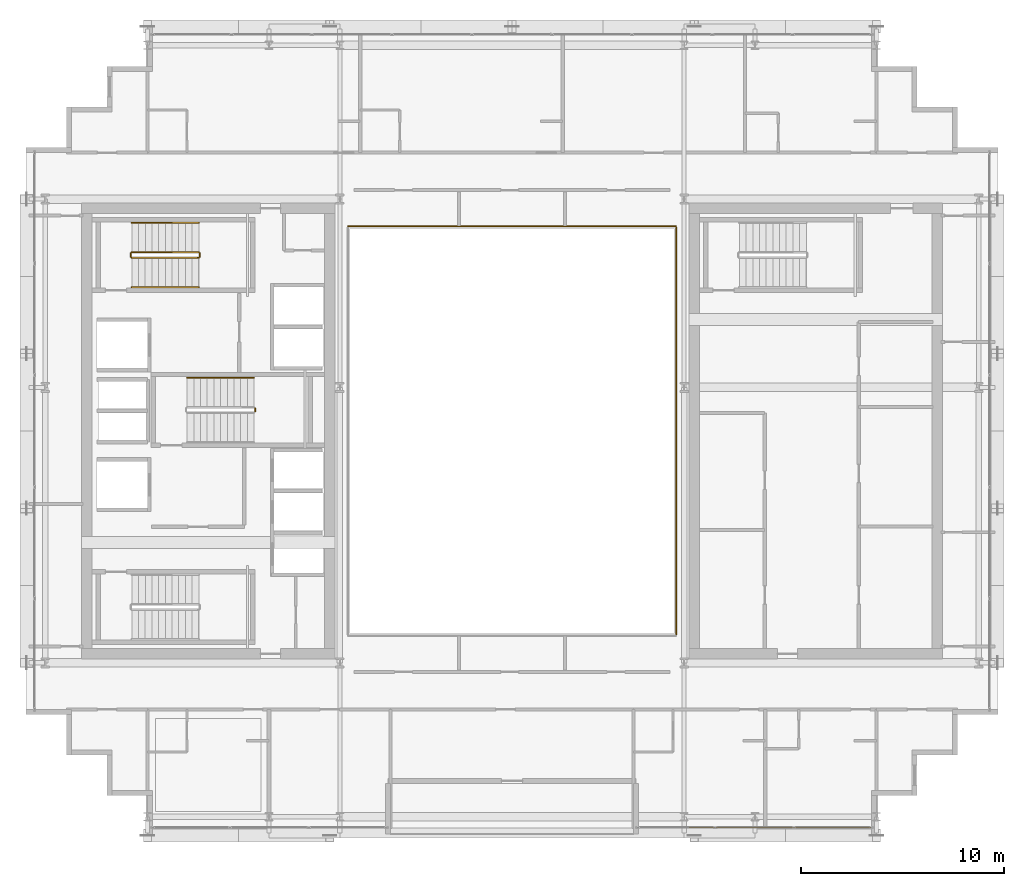
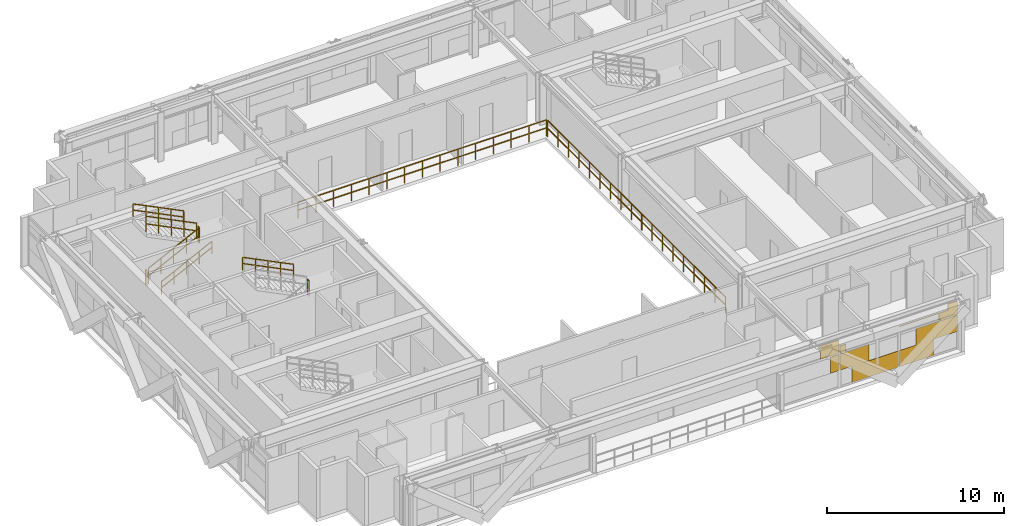
# One storey, part 30 of 32: 10 railings, 1 covering.
"""IFC4 building model written with IfcOpenShell, lengths in metres."""

from ifc_helpers import new_model, si_unit, direction, frame, origin, origin_2d, place, context, subcontext, project, spatial, rectangle, extrude, material, layer, layer_set, type_object, element, save


model = new_model("IFC4")

# Units and contexts
model_context = context("Model", 3, precision=1e-05, world=origin(), true_north=direction((0.0, 1.0)))
body_context = subcontext(model_context, "Body", "Model", "MODEL_VIEW")
ifc_project = project(units=[si_unit("LENGTHUNIT", "METRE"), si_unit("AREAUNIT", "SQUARE_METRE"), si_unit("VOLUMEUNIT", "CUBIC_METRE"), si_unit("PLANEANGLEUNIT", "RADIAN"), si_unit("MASSUNIT", "GRAM", prefix="KILO")], contexts=[model_context])

# Site, building, storey
site_placement = place(None, origin())
site = spatial("IfcSite", under=ifc_project, at=site_placement, CompositionType="ELEMENT")
building_placement = place(site_placement, origin())
building = spatial("IfcBuilding", under=site, at=building_placement, Name="Ocotamira Hotel", CompositionType="ELEMENT")
storey_placement = place(building_placement, frame((0.0, 0.0, 213.60009765625)))
storey = spatial("IfcBuildingStorey", under=building, at=storey_placement, Name="L54", CompositionType="ELEMENT", Elevation=213.60009765625)

# Covering
ifc_material_1 = material(Name="Insulated pale-metal aluminium spandrel panel", Category="aluminium")
ifc_layer = layer(ifc_material_1, 0.044921875)
ifc_layer_set = layer_set([ifc_layer], Name="Insulated pale-metal aluminium spandrel panel")
covering_type = type_object("IfcCoveringType", Name="COV-INFILL-45", PredefinedType="CLADDING", material=ifc_layer_set)
covering_placement = place(storey_placement, origin())
element("IfcCovering", 1, at=covering_placement, inside=storey, type_object=covering_type, Name="L54 Curtain Wall Infill CW-4 CW-L54-S2", PredefinedType="CLADDING", context=body_context, shape_type="SweptSolid", body=[
    extrude(rectangle(XDim=0.543212890625, YDim=0.044921875, at=origin_2d()), frame((41.72119140625, 6.419921875, 1.19384765625), z_axis=(0.0, 0.0, 1.0), x_axis=(1.0, 0.0, 0.0)), (0.0, 0.0, 1.0), 1.117919921875),
    extrude(rectangle(XDim=1.23046875, YDim=0.044921875, at=origin_2d()), frame((41.377685546875, 6.419921875, 2.8291015625), z_axis=(0.0, 0.0, 1.0), x_axis=(1.0, 0.0, 0.0)), (0.0, 0.0, 1.0), 0.46533203125),
    extrude(rectangle(XDim=1.1884765625, YDim=0.044921875, at=origin_2d()), frame((41.398681640625, 6.419921875, 2.3876953125), z_axis=(0.0, 0.0, 1.0), x_axis=(1.0, 0.0, 0.0)), (0.0, 0.0, 1.0), 0.440185546875),
    extrude(rectangle(XDim=1.893798828125, YDim=0.044921875, at=origin_2d()), frame((43.020751953125, 6.419921875, 1.19384765625), z_axis=(0.0, 0.0, 1.0), x_axis=(1.0, 0.0, 0.0)), (0.0, 0.0, 1.0), 1.117919921875),
    extrude(rectangle(XDim=3.028076171875, YDim=0.044921875, at=origin_2d()), frame((44.362060546875, 6.419921875, 0.075439453125), z_axis=(0.0, 0.0, 1.0), x_axis=(1.0, 0.0, 0.0)), (0.0, 0.0, 1.0), 1.11767578125),
    extrude(rectangle(XDim=0.401611328125, YDim=0.044921875, at=origin_2d()), frame((42.274658203125, 6.419921875, 2.3876953125), z_axis=(0.0, 0.0, 1.0), x_axis=(1.0, 0.0, 0.0)), (0.0, 0.0, 1.0), 0.473876953125),
    extrude(rectangle(XDim=2.19482421875, YDim=0.044921875, at=origin_2d()), frame((47.0546875, 6.419921875, 0.075439453125), z_axis=(0.0, 0.0, 1.0), x_axis=(1.0, 0.0, 0.0)), (0.0, 0.0, 1.0), 1.11767578125),
    extrude(rectangle(XDim=2.68701171875, YDim=0.044921875, at=origin_2d()), frame((48.3759765625, 6.419921875, 1.19384765625), z_axis=(0.0, 0.0, 1.0), x_axis=(1.0, 0.0, 0.0)), (0.0, 0.0, 1.0), 1.117919921875),
    extrude(rectangle(XDim=3.76220703125, YDim=0.044921875, at=origin_2d()), frame((47.83837890625, 6.419921875, 2.8291015625), z_axis=(0.0, 0.0, 1.0), x_axis=(1.0, 0.0, 0.0)), (0.0, 0.0, 1.0), 0.03271484375),
    extrude(rectangle(XDim=1.19482421875, YDim=0.044921875, at=origin_2d()), frame((49.1220703125, 6.419921875, 2.3876953125), z_axis=(0.0, 0.0, 1.0), x_axis=(1.0, 0.0, 0.0)), (0.0, 0.0, 1.0), 0.440185546875),
    extrude(rectangle(XDim=0.601318359375, YDim=0.044921875, at=origin_2d()), frame((49.418701171875, 6.419921875, 2.86279296875), z_axis=(0.0, 0.0, 1.0), x_axis=(1.0, 0.0, 0.0)), (0.0, 0.0, 1.0), 0.431640625),
])

# Railings
ifc_material_2 = material(Name="Painted steel stair guardrail", Category="steel")
railing_type_1 = type_object("IfcRailingType", Name="RL-EDGE-1150", PredefinedType="GUARDRAIL", material=ifc_material_2)
railing_1_placement = place(storey_placement, frame((40.1201171875, 15.9599609375, 0.0)))
element("IfcRailing", 2, at=railing_1_placement, inside=storey, type_object=railing_type_1, Name="L54 Central Atrium Edge Guardrail E", PredefinedType="GUARDRAIL", context=body_context, shape_type="SweptSolid", body=[
    extrude(rectangle(XDim=0.048095703125, YDim=0.048095703125, at=origin_2d()), frame((0.0, 0.0, 1.1259765625), z_axis=(0.0, 1.0, 0.0), x_axis=(-1.0, 0.0, 0.0)), (0.0, 0.0, 1.0), 20.080078125),
    extrude(rectangle(XDim=0.048095703125, YDim=0.048095703125, at=origin_2d()), frame((0.0, 0.0, 0.574951171875), z_axis=(0.0, 1.0, 0.0), x_axis=(-1.0, 0.0, 0.0)), (0.0, 0.0, 1.0), 20.080078125),
    extrude(rectangle(XDim=0.0419921875, YDim=0.0419921875, at=origin_2d()), origin(), (0.0, 0.0, 1.0), 1.101806640625),
    extrude(rectangle(XDim=0.0419921875, YDim=0.0419921875, at=origin_2d()), frame((0.0, 1.18115234375, 0.0)), (0.0, 0.0, 1.0), 1.101806640625),
    extrude(rectangle(XDim=0.0419921875, YDim=0.0419921875, at=origin_2d()), frame((0.0, 2.3623046875, 0.0)), (0.0, 0.0, 1.0), 1.101806640625),
    extrude(rectangle(XDim=0.0419921875, YDim=0.0419921875, at=origin_2d()), frame((0.0, 3.54345703125, 0.0)), (0.0, 0.0, 1.0), 1.101806640625),
    extrude(rectangle(XDim=0.0419921875, YDim=0.0419921875, at=origin_2d()), frame((0.0, 4.724609375, 0.0)), (0.0, 0.0, 1.0), 1.101806640625),
    extrude(rectangle(XDim=0.0419921875, YDim=0.0419921875, at=origin_2d()), frame((0.0, 5.906005859375, 0.0)), (0.0, 0.0, 1.0), 1.101806640625),
    extrude(rectangle(XDim=0.0419921875, YDim=0.0419921875, at=origin_2d()), frame((0.0, 7.087158203125, 0.0)), (0.0, 0.0, 1.0), 1.101806640625),
    extrude(rectangle(XDim=0.0419921875, YDim=0.0419921875, at=origin_2d()), frame((0.0, 8.268310546875, 0.0)), (0.0, 0.0, 1.0), 1.101806640625),
    extrude(rectangle(XDim=0.0419921875, YDim=0.0419921875, at=origin_2d()), frame((0.0, 9.449462890625, 0.0)), (0.0, 0.0, 1.0), 1.101806640625),
    extrude(rectangle(XDim=0.0419921875, YDim=0.0419921875, at=origin_2d()), frame((0.0, 10.630615234375, 0.0)), (0.0, 0.0, 1.0), 1.101806640625),
    extrude(rectangle(XDim=0.0419921875, YDim=0.0419921875, at=origin_2d()), frame((0.0, 11.811767578125, 0.0)), (0.0, 0.0, 1.0), 1.101806640625),
    extrude(rectangle(XDim=0.0419921875, YDim=0.0419921875, at=origin_2d()), frame((0.0, 12.992919921875, 0.0)), (0.0, 0.0, 1.0), 1.101806640625),
    extrude(rectangle(XDim=0.0419921875, YDim=0.0419921875, at=origin_2d()), frame((0.0, 14.174072265625, 0.0)), (0.0, 0.0, 1.0), 1.101806640625),
    extrude(rectangle(XDim=0.0419921875, YDim=0.0419921875, at=origin_2d()), frame((0.0, 15.35546875, 0.0)), (0.0, 0.0, 1.0), 1.101806640625),
    extrude(rectangle(XDim=0.0419921875, YDim=0.0419921875, at=origin_2d()), frame((0.0, 16.53662109375, 0.0)), (0.0, 0.0, 1.0), 1.101806640625),
    extrude(rectangle(XDim=0.0419921875, YDim=0.0419921875, at=origin_2d()), frame((0.0, 17.7177734375, 0.0)), (0.0, 0.0, 1.0), 1.101806640625),
    extrude(rectangle(XDim=0.0419921875, YDim=0.0419921875, at=origin_2d()), frame((0.0, 18.89892578125, 0.0)), (0.0, 0.0, 1.0), 1.101806640625),
    extrude(rectangle(XDim=0.0419921875, YDim=0.0419921875, at=origin_2d()), frame((0.0, 20.080078125, 0.0)), (0.0, 0.0, 1.0), 1.101806640625),
])
railing_2_placement = place(storey_placement, frame((40.10009765625, 36.1201171875, 0.0)))
element("IfcRailing", 3, at=railing_2_placement, inside=storey, type_object=railing_type_1, Name="L54 Central Atrium Edge Guardrail N", PredefinedType="GUARDRAIL", context=body_context, shape_type="SweptSolid", body=[
    extrude(rectangle(XDim=0.048095703125, YDim=0.048095703125, at=origin_2d()), frame((0.0, 0.0, 1.1259765625), z_axis=(-1.0, 0.0, 0.0), x_axis=(0.0, -1.0, 0.0)), (0.0, 0.0, 1.0), 16.2001953125),
    extrude(rectangle(XDim=0.048095703125, YDim=0.048095703125, at=origin_2d()), frame((0.0, 0.0, 0.574951171875), z_axis=(-1.0, 0.0, 0.0), x_axis=(0.0, -1.0, 0.0)), (0.0, 0.0, 1.0), 16.2001953125),
    extrude(rectangle(XDim=0.0419921875, YDim=0.0419921875, at=origin_2d()), origin(), (0.0, 0.0, 1.0), 1.101806640625),
    extrude(rectangle(XDim=0.0419921875, YDim=0.0419921875, at=origin_2d()), frame((-1.1572265625, 0.0, 0.0)), (0.0, 0.0, 1.0), 1.101806640625),
    extrude(rectangle(XDim=0.0419921875, YDim=0.0419921875, at=origin_2d()), frame((-2.314208984375, 0.0, 0.0)), (0.0, 0.0, 1.0), 1.101806640625),
    extrude(rectangle(XDim=0.0419921875, YDim=0.0419921875, at=origin_2d()), frame((-3.471435546875, 0.0, 0.0)), (0.0, 0.0, 1.0), 1.101806640625),
    extrude(rectangle(XDim=0.0419921875, YDim=0.0419921875, at=origin_2d()), frame((-4.628662109375, 0.0, 0.0)), (0.0, 0.0, 1.0), 1.101806640625),
    extrude(rectangle(XDim=0.0419921875, YDim=0.0419921875, at=origin_2d()), frame((-5.785888671875, 0.0, 0.0)), (0.0, 0.0, 1.0), 1.101806640625),
    extrude(rectangle(XDim=0.0419921875, YDim=0.0419921875, at=origin_2d()), frame((-6.94287109375, 0.0, 0.0)), (0.0, 0.0, 1.0), 1.101806640625),
    extrude(rectangle(XDim=0.0419921875, YDim=0.0419921875, at=origin_2d()), frame((-8.10009765625, 0.0, 0.0)), (0.0, 0.0, 1.0), 1.101806640625),
    extrude(rectangle(XDim=0.0419921875, YDim=0.0419921875, at=origin_2d()), frame((-9.25732421875, 0.0, 0.0)), (0.0, 0.0, 1.0), 1.101806640625),
    extrude(rectangle(XDim=0.0419921875, YDim=0.0419921875, at=origin_2d()), frame((-10.414306640625, 0.0, 0.0)), (0.0, 0.0, 1.0), 1.101806640625),
    extrude(rectangle(XDim=0.0419921875, YDim=0.0419921875, at=origin_2d()), frame((-11.571533203125, 0.0, 0.0)), (0.0, 0.0, 1.0), 1.101806640625),
    extrude(rectangle(XDim=0.0419921875, YDim=0.0419921875, at=origin_2d()), frame((-12.728759765625, 0.0, 0.0)), (0.0, 0.0, 1.0), 1.101806640625),
    extrude(rectangle(XDim=0.0419921875, YDim=0.0419921875, at=origin_2d()), frame((-13.885986328125, 0.0, 0.0)), (0.0, 0.0, 1.0), 1.101806640625),
    extrude(rectangle(XDim=0.0419921875, YDim=0.0419921875, at=origin_2d()), frame((-15.04296875, 0.0, 0.0)), (0.0, 0.0, 1.0), 1.101806640625),
    extrude(rectangle(XDim=0.0419921875, YDim=0.0419921875, at=origin_2d()), frame((-16.2001953125, 0.0, 0.0)), (0.0, 0.0, 1.0), 1.101806640625),
])
ifc_material_3 = material(Name="Brushed stainless steel handrail", Category="steel")
railing_type_2 = type_object("IfcRailingType", Name="RL-HAND-900", PredefinedType="HANDRAIL", material=ifc_material_3)
railing_3_placement = place(storey_placement, frame((13.22998046875, 33.10009765625, 0.3271484375)))
element("IfcRailing", 4, at=railing_3_placement, inside=storey, type_object=railing_type_2, Name="L54 ST-2 stair handrail 1", PredefinedType="HANDRAIL", context=body_context, shape_type="SweptSolid", body=[
    extrude(rectangle(XDim=0.048095703125, YDim=0.048095703125, at=origin_2d()), frame((0.0, 0.0, 0.8759765625), z_axis=(0.895893744519, 0.0, 0.4442683857), x_axis=(0.0, 1.0, 0.0)), (0.0, 0.0, 1.0), 3.68359375),
    extrude(rectangle(XDim=0.048095703125, YDim=0.048095703125, at=origin_2d()), frame((0.0, 0.0, 0.449951171875), z_axis=(0.895893744519, 0.0, 0.4442683857), x_axis=(0.0, 1.0, 0.0)), (0.0, 0.0, 1.0), 3.68359375),
    extrude(rectangle(XDim=0.0419921875, YDim=0.0419921875, at=origin_2d()), origin(), (0.0, 0.0, 1.0), 0.851806640625),
    extrude(rectangle(XDim=0.0419921875, YDim=0.0419921875, at=origin_2d()), frame((0.824951171875, 0.0, 0.4091796875)), (0.0, 0.0, 1.0), 0.851806640625),
    extrude(rectangle(XDim=0.0419921875, YDim=0.0419921875, at=origin_2d()), frame((1.64990234375, 0.0, 0.818359375)), (0.0, 0.0, 1.0), 0.851806640625),
    extrude(rectangle(XDim=0.0419921875, YDim=0.0419921875, at=origin_2d()), frame((2.47509765625, 0.0, 1.227294921875)), (0.0, 0.0, 1.0), 0.851806640625),
    extrude(rectangle(XDim=0.0419921875, YDim=0.0419921875, at=origin_2d()), frame((3.300048828125, 0.0, 1.636474609375)), (0.0, 0.0, 1.0), 0.851806640625),
])
for number, where, name in (
    (5, (16.530029296875, 36.280029296875, 2.127197265625), "L54 ST-2 stair handrail 2"),
    (6, (19.260009765625, 28.6298828125, 2.127197265625), "L54 ST-3 stair handrail 2"),
):
    element("IfcRailing", number, at=place(storey_placement, frame(where)), inside=storey, type_object=railing_type_2, Name=name, PredefinedType="HANDRAIL", context=body_context, shape_type="SweptSolid", body=[
        extrude(rectangle(XDim=0.048095703125, YDim=0.048095703125, at=origin_2d()), frame((0.0, 0.0, 0.8759765625), z_axis=(-0.895920123917, 0.0, 0.444215186098), x_axis=(0.0, -1.0, 0.0)), (0.0, 0.0, 1.0), 3.683349609375),
        extrude(rectangle(XDim=0.048095703125, YDim=0.048095703125, at=origin_2d()), frame((0.0, 0.0, 0.449951171875), z_axis=(-0.895920123917, 0.0, 0.444215186098), x_axis=(0.0, -1.0, 0.0)), (0.0, 0.0, 1.0), 3.683349609375),
        extrude(rectangle(XDim=0.0419921875, YDim=0.0419921875, at=origin_2d()), origin(), (0.0, 0.0, 1.0), 0.851806640625),
        extrude(rectangle(XDim=0.0419921875, YDim=0.0419921875, at=origin_2d()), frame((-0.824951171875, 0.0, 0.4091796875)), (0.0, 0.0, 1.0), 0.851806640625),
        extrude(rectangle(XDim=0.0419921875, YDim=0.0419921875, at=origin_2d()), frame((-1.64990234375, 0.0, 0.818115234375)), (0.0, 0.0, 1.0), 0.851806640625),
        extrude(rectangle(XDim=0.0419921875, YDim=0.0419921875, at=origin_2d()), frame((-2.47509765625, 0.0, 1.22705078125)), (0.0, 0.0, 1.0), 0.851806640625),
        extrude(rectangle(XDim=0.0419921875, YDim=0.0419921875, at=origin_2d()), frame((-3.300048828125, 0.0, 1.63623046875)), (0.0, 0.0, 1.0), 0.851806640625),
    ])
railing_type_3 = type_object("IfcRailingType", Name="RL-STAIR-1100", PredefinedType="GUARDRAIL", material=ifc_material_2)
railing_4_placement = place(storey_placement, frame((13.22998046875, 34.56005859375, 0.16357421875)))
element("IfcRailing", 7, at=railing_4_placement, inside=storey, type_object=railing_type_3, Name="L54 ST-2 stair guard 1", PredefinedType="GUARDRAIL", context=body_context, shape_type="SweptSolid", body=[
    extrude(rectangle(XDim=0.048095703125, YDim=0.048095703125, at=origin_2d()), frame((0.0, 0.0, 1.076171875), z_axis=(0.895920123917, 0.0, 0.444215186098), x_axis=(0.0, 1.0, 0.0)), (0.0, 0.0, 1.0), 3.683349609375),
    extrude(rectangle(XDim=0.048095703125, YDim=0.048095703125, at=origin_2d()), frame((0.0, 0.0, 0.550048828125), z_axis=(0.895920123917, 0.0, 0.444215186098), x_axis=(0.0, 1.0, 0.0)), (0.0, 0.0, 1.0), 3.683349609375),
    extrude(rectangle(XDim=0.0419921875, YDim=0.0419921875, at=origin_2d()), origin(), (0.0, 0.0, 1.0), 1.052001953125),
    extrude(rectangle(XDim=0.0419921875, YDim=0.0419921875, at=origin_2d()), frame((0.824951171875, 0.0, 0.4091796875)), (0.0, 0.0, 1.0), 1.052001953125),
    extrude(rectangle(XDim=0.0419921875, YDim=0.0419921875, at=origin_2d()), frame((1.64990234375, 0.0, 0.818115234375)), (0.0, 0.0, 1.0), 1.052001953125),
    extrude(rectangle(XDim=0.0419921875, YDim=0.0419921875, at=origin_2d()), frame((2.47509765625, 0.0, 1.22705078125)), (0.0, 0.0, 1.0), 1.052001953125),
    extrude(rectangle(XDim=0.0419921875, YDim=0.0419921875, at=origin_2d()), frame((3.300048828125, 0.0, 1.63623046875)), (0.0, 0.0, 1.0), 1.052001953125),
])
railing_5_placement = place(storey_placement, frame((16.580078125, 34.610107421875, 1.7998046875)))
element("IfcRailing", 8, at=railing_5_placement, inside=storey, type_object=railing_type_3, Name="L54 ST-2 stair guard 2", PredefinedType="GUARDRAIL", context=body_context, shape_type="SweptSolid", body=[
    extrude(rectangle(XDim=0.048095703125, YDim=0.048095703125, at=origin_2d()), frame((0.0, 0.0, 1.076171875), z_axis=(0.0, 1.0, 0.0), x_axis=(-1.0, 0.0, 0.0)), (0.0, 0.0, 1.0), 0.159912109375),
    extrude(rectangle(XDim=0.048095703125, YDim=0.048095703125, at=origin_2d()), frame((0.0, 0.0, 0.550048828125), z_axis=(0.0, 1.0, 0.0), x_axis=(-1.0, 0.0, 0.0)), (0.0, 0.0, 1.0), 0.159912109375),
    extrude(rectangle(XDim=0.0419921875, YDim=0.0419921875, at=origin_2d()), origin(), (0.0, 0.0, 1.0), 1.052001953125),
    extrude(rectangle(XDim=0.0419921875, YDim=0.0419921875, at=origin_2d()), frame((0.0, 0.159912109375, 0.0)), (0.0, 0.0, 1.0), 1.052001953125),
])
railing_6_placement = place(storey_placement, frame((16.530029296875, 34.820068359375, 1.963623046875)))
element("IfcRailing", 9, at=railing_6_placement, inside=storey, type_object=railing_type_3, Name="L54 ST-2 stair guard 3", PredefinedType="GUARDRAIL", context=body_context, shape_type="SweptSolid", body=[
    extrude(rectangle(XDim=0.048095703125, YDim=0.048095703125, at=origin_2d()), frame((0.0, 0.0, 1.076171875), z_axis=(-0.895920123917, 0.0, 0.444215186098), x_axis=(0.0, -1.0, 0.0)), (0.0, 0.0, 1.0), 3.683349609375),
    extrude(rectangle(XDim=0.048095703125, YDim=0.048095703125, at=origin_2d()), frame((0.0, 0.0, 0.550048828125), z_axis=(-0.895920123917, 0.0, 0.444215186098), x_axis=(0.0, -1.0, 0.0)), (0.0, 0.0, 1.0), 3.683349609375),
    extrude(rectangle(XDim=0.0419921875, YDim=0.0419921875, at=origin_2d()), origin(), (0.0, 0.0, 1.0), 1.052001953125),
    extrude(rectangle(XDim=0.0419921875, YDim=0.0419921875, at=origin_2d()), frame((-0.824951171875, 0.0, 0.4091796875)), (0.0, 0.0, 1.0), 1.052001953125),
    extrude(rectangle(XDim=0.0419921875, YDim=0.0419921875, at=origin_2d()), frame((-1.64990234375, 0.0, 0.818115234375)), (0.0, 0.0, 1.0), 1.052001953125),
    extrude(rectangle(XDim=0.0419921875, YDim=0.0419921875, at=origin_2d()), frame((-2.47509765625, 0.0, 1.22705078125)), (0.0, 0.0, 1.0), 1.052001953125),
    extrude(rectangle(XDim=0.0419921875, YDim=0.0419921875, at=origin_2d()), frame((-3.300048828125, 0.0, 1.63623046875)), (0.0, 0.0, 1.0), 1.052001953125),
])
railing_7_placement = place(storey_placement, frame((13.179931640625, 34.610107421875, 0.0)))
element("IfcRailing", 10, at=railing_7_placement, inside=storey, type_object=railing_type_3, Name="L54 ST-2 stair guard 4", PredefinedType="GUARDRAIL", context=body_context, shape_type="SweptSolid", body=[
    extrude(rectangle(XDim=0.048095703125, YDim=0.048095703125, at=origin_2d()), frame((0.0, 0.0, 1.076171875), z_axis=(0.0, 1.0, 0.0), x_axis=(-1.0, 0.0, 0.0)), (0.0, 0.0, 1.0), 0.159912109375),
    extrude(rectangle(XDim=0.048095703125, YDim=0.048095703125, at=origin_2d()), frame((0.0, 0.0, 0.550048828125), z_axis=(0.0, 1.0, 0.0), x_axis=(-1.0, 0.0, 0.0)), (0.0, 0.0, 1.0), 0.159912109375),
    extrude(rectangle(XDim=0.0419921875, YDim=0.0419921875, at=origin_2d()), origin(), (0.0, 0.0, 1.0), 1.052001953125),
    extrude(rectangle(XDim=0.0419921875, YDim=0.0419921875, at=origin_2d()), frame((0.0, 0.159912109375, 0.0)), (0.0, 0.0, 1.0), 1.052001953125),
])
railing_8_placement = place(storey_placement, frame((19.31005859375, 26.9599609375, 1.7998046875)))
element("IfcRailing", 11, at=railing_8_placement, inside=storey, type_object=railing_type_3, Name="L54 ST-3 stair guard 2", PredefinedType="GUARDRAIL", context=body_context, shape_type="SweptSolid", body=[
    extrude(rectangle(XDim=0.048095703125, YDim=0.048095703125, at=origin_2d()), frame((0.0, 0.0, 1.076171875), z_axis=(0.0, 1.0, 0.0), x_axis=(-1.0, 0.0, 0.0)), (0.0, 0.0, 1.0), 0.16015625),
    extrude(rectangle(XDim=0.048095703125, YDim=0.048095703125, at=origin_2d()), frame((0.0, 0.0, 0.550048828125), z_axis=(0.0, 1.0, 0.0), x_axis=(-1.0, 0.0, 0.0)), (0.0, 0.0, 1.0), 0.16015625),
    extrude(rectangle(XDim=0.0419921875, YDim=0.0419921875, at=origin_2d()), origin(), (0.0, 0.0, 1.0), 1.052001953125),
    extrude(rectangle(XDim=0.0419921875, YDim=0.0419921875, at=origin_2d()), frame((0.0, 0.16015625, 0.0)), (0.0, 0.0, 1.0), 1.052001953125),
])

save(model, "model.ifc")
